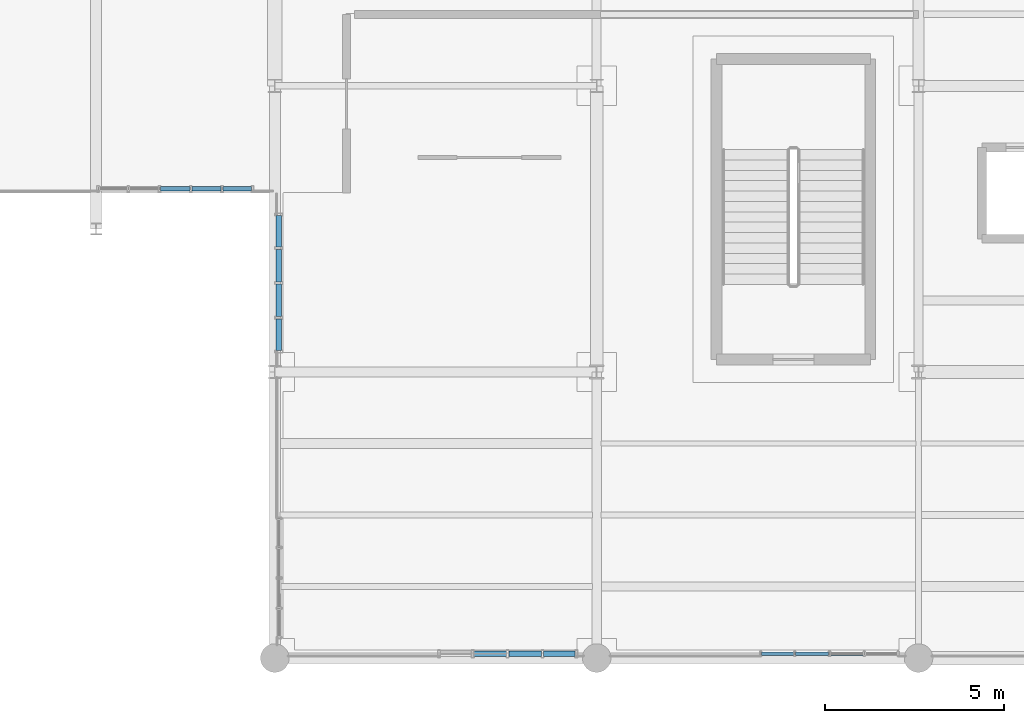
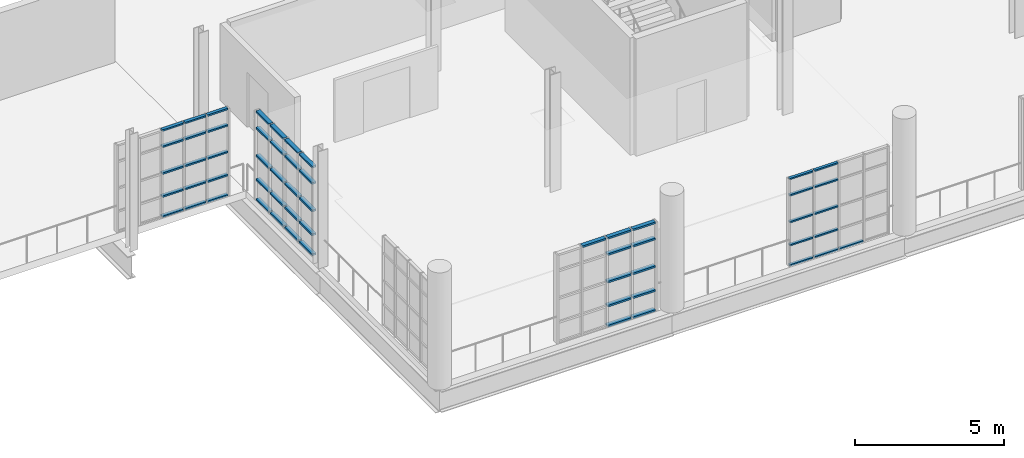
# One storey, part 64 of 122: 57 members, 4 elements without a shape of their own.
"""IFC4 building model written with IfcOpenShell, lengths in metres."""

from ifc_helpers import new_model, si_unit, direction, frame, origin, origin_2d, place, context, subcontext, project, spatial, hollow_rectangle, extrude, material, layer, layer_set, material_profile, profile_set, type_object, element, aggregate, save


model = new_model("IFC4")

# Units and contexts
model_context = context("Model", 3, precision=1e-05, world=origin(), true_north=direction((0.0, 1.0)))
body_context = subcontext(model_context, "Body", "Model", "MODEL_VIEW")
ifc_project = project(units=[si_unit("LENGTHUNIT", "METRE"), si_unit("AREAUNIT", "SQUARE_METRE"), si_unit("VOLUMEUNIT", "CUBIC_METRE"), si_unit("PLANEANGLEUNIT", "RADIAN"), si_unit("MASSUNIT", "GRAM", prefix="KILO"), si_unit("THERMODYNAMICTEMPERATUREUNIT", "KELVIN"), si_unit("POWERUNIT", "WATT")], contexts=[model_context])

# Site, building, storey
site_placement = place(None, origin())
site = spatial("IfcSite", under=ifc_project, at=site_placement, CompositionType="ELEMENT")
building_placement = place(site_placement, origin())
building = spatial("IfcBuilding", under=site, at=building_placement, Name="Zelmaris Science Centre", CompositionType="ELEMENT")
storey_placement = place(building_placement, frame((0.0, 0.0, 10.800048828125)))
storey = spatial("IfcBuildingStorey", under=building, at=storey_placement, Name="L02", CompositionType="ELEMENT", Elevation=10.800048828125)

# Curtain wall, members
ifc_material = material(Name="Anodised architectural aluminium 6063-T6", Category="aluminium")
ifc_layer_1 = layer(ifc_material, 0.219970703125, Name="Anodised architectural aluminium 6063-T6")
ifc_layer_set_1 = layer_set([ifc_layer_1], Name="Anodised architectural aluminium 6063-T6")
curtain_wall_type_1 = type_object("IfcCurtainWallType", Name="Curtain Wall CW-04", PredefinedType="USERDEFINED", material=ifc_layer_set_1)
curtain_wall_1_placement = place(storey_placement, origin())
curtain_wall_1 = element("IfcCurtainWall", 1, at=curtain_wall_1_placement, inside=storey, type_object=curtain_wall_type_1, Name="L02 Unitised curtain wall 240", ObjectType="GLAZED CURTAIN WALL", PredefinedType="USERDEFINED")
ifc_material_profile_1 = material_profile(ifc_material, hollow_rectangle(XDim=0.06005859375, YDim=0.110107421875, WallThickness=0.0029296875, at=origin_2d()), Name="ALU-TRN-60X110")
ifc_profile_set_1 = profile_set([ifc_material_profile_1], Name="Anodised architectural aluminium 6063-T6")
member_type_1 = type_object("IfcMemberType", Name="ALU-TRN-60X110", PredefinedType="USERDEFINED", material=ifc_profile_set_1)
member_1_placement = place(storey_placement, frame((124.458984375, 8.1201171875, 0.010986328125), z_axis=(-1.0, 0.0, 0.0), x_axis=(0.0, 0.0, 1.0)))
member_1 = element("IfcMember", 2, at=member_1_placement, type_object=member_type_1, Name="CW-04 transom 2.1", ObjectType="TRANSOM", PredefinedType="USERDEFINED", context=body_context, shape_type="SweptSolid", body=[
    extrude(hollow_rectangle(XDim=0.06005859375, YDim=0.110107421875, WallThickness=0.0029296875, at=origin_2d()), origin(), (0.0, 0.0, 1.0), 0.923095703125),
])
member_2_placement = place(storey_placement, frame((123.48388671875, 8.1201171875, 0.010986328125), z_axis=(-1.0, 0.0, 0.0), x_axis=(0.0, 0.0, 1.0)))
member_2 = element("IfcMember", 3, at=member_2_placement, type_object=member_type_1, Name="CW-04 transom 3.1", ObjectType="TRANSOM", PredefinedType="USERDEFINED", context=body_context, shape_type="SweptSolid", body=[
    extrude(hollow_rectangle(XDim=0.06005859375, YDim=0.110107421875, WallThickness=0.0029296875, at=origin_2d()), origin(), (0.0, 0.0, 1.0), 0.9228515625),
])
member_3_placement = place(storey_placement, frame((123.48388671875, 8.1201171875, 0.8349609375), z_axis=(-1.0, 0.0, 0.0), x_axis=(0.0, 0.0, 1.0)))
member_3 = element("IfcMember", 4, at=member_3_placement, type_object=member_type_1, Name="CW-04 transom 3.2", ObjectType="TRANSOM", PredefinedType="USERDEFINED", context=body_context, shape_type="SweptSolid", body=[
    extrude(hollow_rectangle(XDim=0.06005859375, YDim=0.110107421875, WallThickness=0.0029296875, at=origin_2d()), origin(), (0.0, 0.0, 1.0), 0.9228515625),
])
member_4_placement = place(storey_placement, frame((123.48388671875, 8.1201171875, 1.781494140625), z_axis=(-1.0, 0.0, 0.0), x_axis=(0.0, 0.0, 1.0)))
member_4 = element("IfcMember", 5, at=member_4_placement, type_object=member_type_1, Name="CW-04 transom 3.3", ObjectType="TRANSOM", PredefinedType="USERDEFINED", context=body_context, shape_type="SweptSolid", body=[
    extrude(hollow_rectangle(XDim=0.06005859375, YDim=0.110107421875, WallThickness=0.0029296875, at=origin_2d()), origin(), (0.0, 0.0, 1.0), 0.9228515625),
])
member_5_placement = place(storey_placement, frame((123.48388671875, 8.1201171875, 2.8779296875), z_axis=(-1.0, 0.0, 0.0), x_axis=(0.0, 0.0, 1.0)))
member_5 = element("IfcMember", 6, at=member_5_placement, type_object=member_type_1, Name="CW-04 transom 3.4", ObjectType="TRANSOM", PredefinedType="USERDEFINED", context=body_context, shape_type="SweptSolid", body=[
    extrude(hollow_rectangle(XDim=0.06005859375, YDim=0.110107421875, WallThickness=0.0029296875, at=origin_2d()), origin(), (0.0, 0.0, 1.0), 0.9228515625),
])
member_6_placement = place(storey_placement, frame((123.48388671875, 8.1201171875, 3.552001953125), z_axis=(-1.0, 0.0, 0.0), x_axis=(0.0, 0.0, 1.0)))
member_6 = element("IfcMember", 7, at=member_6_placement, type_object=member_type_1, Name="CW-04 transom 3.5", ObjectType="TRANSOM", PredefinedType="USERDEFINED", context=body_context, shape_type="SweptSolid", body=[
    extrude(hollow_rectangle(XDim=0.06005859375, YDim=0.110107421875, WallThickness=0.0029296875, at=origin_2d()), origin(), (0.0, 0.0, 1.0), 0.9228515625),
])
member_7_placement = place(storey_placement, frame((122.509033203125, 8.1201171875, 0.010986328125), z_axis=(-1.0, 0.0, 0.0), x_axis=(0.0, 0.0, 1.0)))
member_7 = element("IfcMember", 8, at=member_7_placement, type_object=member_type_1, Name="CW-04 transom 4.1", ObjectType="TRANSOM", PredefinedType="USERDEFINED", context=body_context, shape_type="SweptSolid", body=[
    extrude(hollow_rectangle(XDim=0.06005859375, YDim=0.110107421875, WallThickness=0.0029296875, at=origin_2d()), origin(), (0.0, 0.0, 1.0), 0.89697265625),
])
member_8_placement = place(storey_placement, frame((122.509033203125, 8.1201171875, 0.8349609375), z_axis=(-1.0, 0.0, 0.0), x_axis=(0.0, 0.0, 1.0)))
member_8 = element("IfcMember", 9, at=member_8_placement, type_object=member_type_1, Name="CW-04 transom 4.2", ObjectType="TRANSOM", PredefinedType="USERDEFINED", context=body_context, shape_type="SweptSolid", body=[
    extrude(hollow_rectangle(XDim=0.06005859375, YDim=0.110107421875, WallThickness=0.0029296875, at=origin_2d()), origin(), (0.0, 0.0, 1.0), 0.89697265625),
])
member_9_placement = place(storey_placement, frame((122.509033203125, 8.1201171875, 1.781494140625), z_axis=(-1.0, 0.0, 0.0), x_axis=(0.0, 0.0, 1.0)))
member_9 = element("IfcMember", 10, at=member_9_placement, type_object=member_type_1, Name="CW-04 transom 4.3", ObjectType="TRANSOM", PredefinedType="USERDEFINED", context=body_context, shape_type="SweptSolid", body=[
    extrude(hollow_rectangle(XDim=0.06005859375, YDim=0.110107421875, WallThickness=0.0029296875, at=origin_2d()), origin(), (0.0, 0.0, 1.0), 0.89697265625),
])
member_10_placement = place(storey_placement, frame((122.509033203125, 8.1201171875, 2.8779296875), z_axis=(-1.0, 0.0, 0.0), x_axis=(0.0, 0.0, 1.0)))
member_10 = element("IfcMember", 11, at=member_10_placement, type_object=member_type_1, Name="CW-04 transom 4.4", ObjectType="TRANSOM", PredefinedType="USERDEFINED", context=body_context, shape_type="SweptSolid", body=[
    extrude(hollow_rectangle(XDim=0.06005859375, YDim=0.110107421875, WallThickness=0.0029296875, at=origin_2d()), origin(), (0.0, 0.0, 1.0), 0.89697265625),
])
member_11_placement = place(storey_placement, frame((122.509033203125, 8.1201171875, 3.552001953125), z_axis=(-1.0, 0.0, 0.0), x_axis=(0.0, 0.0, 1.0)))
member_11 = element("IfcMember", 12, at=member_11_placement, type_object=member_type_1, Name="CW-04 transom 4.5", ObjectType="TRANSOM", PredefinedType="USERDEFINED", context=body_context, shape_type="SweptSolid", body=[
    extrude(hollow_rectangle(XDim=0.06005859375, YDim=0.110107421875, WallThickness=0.0029296875, at=origin_2d()), origin(), (0.0, 0.0, 1.0), 0.89697265625),
])
aggregate(curtain_wall_1, [member_1, member_2, member_3, member_4, member_5, member_6, member_7, member_8, member_9, member_10, member_11])

ifc_layer_2 = layer(ifc_material, 0.2099609375, Name="Anodised architectural aluminium 6063-T6")
ifc_layer_set_2 = layer_set([ifc_layer_2], Name="Anodised architectural aluminium 6063-T6")
curtain_wall_type_2 = type_object("IfcCurtainWallType", Name="Curtain Wall CW-03", PredefinedType="USERDEFINED", material=ifc_layer_set_2)
curtain_wall_2_placement = place(storey_placement, origin())
curtain_wall_2 = element("IfcCurtainWall", 13, at=curtain_wall_2_placement, inside=storey, type_object=curtain_wall_type_2, Name="L02 Unitised curtain wall 247", ObjectType="GLAZED CURTAIN WALL", PredefinedType="USERDEFINED")
ifc_material_profile_2 = material_profile(ifc_material, hollow_rectangle(XDim=0.06494140625, YDim=0.1298828125, WallThickness=0.00341796875, at=origin_2d()), Name="ALU-TRN-65X130")
ifc_profile_set_2 = profile_set([ifc_material_profile_2], Name="Anodised architectural aluminium 6063-T6")
member_type_2 = type_object("IfcMemberType", Name="ALU-TRN-65X130", PredefinedType="USERDEFINED", material=ifc_profile_set_2)
member_12_placement = place(storey_placement, frame((107.343017578125, 21.1201171875, 0.013427734375), z_axis=(-1.0, 0.0, 0.0), x_axis=(0.0, 0.0, 1.0)))
member_12 = element("IfcMember", 14, at=member_12_placement, type_object=member_type_2, Name="CW-03 transom 1.1", ObjectType="TRANSOM", PredefinedType="USERDEFINED", context=body_context, shape_type="SweptSolid", body=[
    extrude(hollow_rectangle(XDim=0.06494140625, YDim=0.1298828125, WallThickness=0.00341796875, at=origin_2d()), origin(), (0.0, 0.0, 1.0), 0.7890625),
])
member_13_placement = place(storey_placement, frame((107.343017578125, 21.1201171875, 0.8349609375), z_axis=(-1.0, 0.0, 0.0), x_axis=(0.0, 0.0, 1.0)))
member_13 = element("IfcMember", 15, at=member_13_placement, type_object=member_type_2, Name="CW-03 transom 1.2", ObjectType="TRANSOM", PredefinedType="USERDEFINED", context=body_context, shape_type="SweptSolid", body=[
    extrude(hollow_rectangle(XDim=0.06494140625, YDim=0.1298828125, WallThickness=0.00341796875, at=origin_2d()), origin(), (0.0, 0.0, 1.0), 0.7890625),
])
member_14_placement = place(storey_placement, frame((107.343017578125, 21.1201171875, 1.779052734375), z_axis=(-1.0, 0.0, 0.0), x_axis=(0.0, 0.0, 1.0)))
member_14 = element("IfcMember", 16, at=member_14_placement, type_object=member_type_2, Name="CW-03 transom 1.3", ObjectType="TRANSOM", PredefinedType="USERDEFINED", context=body_context, shape_type="SweptSolid", body=[
    extrude(hollow_rectangle(XDim=0.06494140625, YDim=0.1298828125, WallThickness=0.00341796875, at=origin_2d()), origin(), (0.0, 0.0, 1.0), 0.7890625),
])
member_15_placement = place(storey_placement, frame((107.343017578125, 21.1201171875, 2.873046875), z_axis=(-1.0, 0.0, 0.0), x_axis=(0.0, 0.0, 1.0)))
member_15 = element("IfcMember", 17, at=member_15_placement, type_object=member_type_2, Name="CW-03 transom 1.4", ObjectType="TRANSOM", PredefinedType="USERDEFINED", context=body_context, shape_type="SweptSolid", body=[
    extrude(hollow_rectangle(XDim=0.06494140625, YDim=0.1298828125, WallThickness=0.00341796875, at=origin_2d()), origin(), (0.0, 0.0, 1.0), 0.7890625),
])
member_16_placement = place(storey_placement, frame((107.343017578125, 21.1201171875, 3.54443359375), z_axis=(-1.0, 0.0, 0.0), x_axis=(0.0, 0.0, 1.0)))
member_16 = element("IfcMember", 18, at=member_16_placement, type_object=member_type_2, Name="CW-03 transom 1.5", ObjectType="TRANSOM", PredefinedType="USERDEFINED", context=body_context, shape_type="SweptSolid", body=[
    extrude(hollow_rectangle(XDim=0.06494140625, YDim=0.1298828125, WallThickness=0.00341796875, at=origin_2d()), origin(), (0.0, 0.0, 1.0), 0.7890625),
])
member_17_placement = place(storey_placement, frame((106.496826171875, 21.1201171875, 0.013427734375), z_axis=(-1.0, 0.0, 0.0), x_axis=(0.0, 0.0, 1.0)))
member_17 = element("IfcMember", 19, at=member_17_placement, type_object=member_type_2, Name="CW-03 transom 2.1", ObjectType="TRANSOM", PredefinedType="USERDEFINED", context=body_context, shape_type="SweptSolid", body=[
    extrude(hollow_rectangle(XDim=0.06494140625, YDim=0.1298828125, WallThickness=0.00341796875, at=origin_2d()), origin(), (0.0, 0.0, 1.0), 0.817626953125),
])
member_18_placement = place(storey_placement, frame((106.496826171875, 21.1201171875, 0.8349609375), z_axis=(-1.0, 0.0, 0.0), x_axis=(0.0, 0.0, 1.0)))
member_18 = element("IfcMember", 20, at=member_18_placement, type_object=member_type_2, Name="CW-03 transom 2.2", ObjectType="TRANSOM", PredefinedType="USERDEFINED", context=body_context, shape_type="SweptSolid", body=[
    extrude(hollow_rectangle(XDim=0.06494140625, YDim=0.1298828125, WallThickness=0.00341796875, at=origin_2d()), origin(), (0.0, 0.0, 1.0), 0.817626953125),
])
member_19_placement = place(storey_placement, frame((106.496826171875, 21.1201171875, 1.779052734375), z_axis=(-1.0, 0.0, 0.0), x_axis=(0.0, 0.0, 1.0)))
member_19 = element("IfcMember", 21, at=member_19_placement, type_object=member_type_2, Name="CW-03 transom 2.3", ObjectType="TRANSOM", PredefinedType="USERDEFINED", context=body_context, shape_type="SweptSolid", body=[
    extrude(hollow_rectangle(XDim=0.06494140625, YDim=0.1298828125, WallThickness=0.00341796875, at=origin_2d()), origin(), (0.0, 0.0, 1.0), 0.817626953125),
])
member_20_placement = place(storey_placement, frame((106.496826171875, 21.1201171875, 2.873046875), z_axis=(-1.0, 0.0, 0.0), x_axis=(0.0, 0.0, 1.0)))
member_20 = element("IfcMember", 22, at=member_20_placement, type_object=member_type_2, Name="CW-03 transom 2.4", ObjectType="TRANSOM", PredefinedType="USERDEFINED", context=body_context, shape_type="SweptSolid", body=[
    extrude(hollow_rectangle(XDim=0.06494140625, YDim=0.1298828125, WallThickness=0.00341796875, at=origin_2d()), origin(), (0.0, 0.0, 1.0), 0.817626953125),
])
member_21_placement = place(storey_placement, frame((106.496826171875, 21.1201171875, 3.54443359375), z_axis=(-1.0, 0.0, 0.0), x_axis=(0.0, 0.0, 1.0)))
member_21 = element("IfcMember", 23, at=member_21_placement, type_object=member_type_2, Name="CW-03 transom 2.5", ObjectType="TRANSOM", PredefinedType="USERDEFINED", context=body_context, shape_type="SweptSolid", body=[
    extrude(hollow_rectangle(XDim=0.06494140625, YDim=0.1298828125, WallThickness=0.00341796875, at=origin_2d()), origin(), (0.0, 0.0, 1.0), 0.817626953125),
])
member_22_placement = place(storey_placement, frame((105.6220703125, 21.1201171875, 0.013427734375), z_axis=(-1.0, 0.0, 0.0), x_axis=(0.0, 0.0, 1.0)))
member_22 = element("IfcMember", 24, at=member_22_placement, type_object=member_type_2, Name="CW-03 transom 3.1", ObjectType="TRANSOM", PredefinedType="USERDEFINED", context=body_context, shape_type="SweptSolid", body=[
    extrude(hollow_rectangle(XDim=0.06494140625, YDim=0.1298828125, WallThickness=0.00341796875, at=origin_2d()), origin(), (0.0, 0.0, 1.0), 0.817626953125),
])
member_23_placement = place(storey_placement, frame((105.6220703125, 21.1201171875, 0.8349609375), z_axis=(-1.0, 0.0, 0.0), x_axis=(0.0, 0.0, 1.0)))
member_23 = element("IfcMember", 25, at=member_23_placement, type_object=member_type_2, Name="CW-03 transom 3.2", ObjectType="TRANSOM", PredefinedType="USERDEFINED", context=body_context, shape_type="SweptSolid", body=[
    extrude(hollow_rectangle(XDim=0.06494140625, YDim=0.1298828125, WallThickness=0.00341796875, at=origin_2d()), origin(), (0.0, 0.0, 1.0), 0.817626953125),
])
member_24_placement = place(storey_placement, frame((105.6220703125, 21.1201171875, 1.779052734375), z_axis=(-1.0, 0.0, 0.0), x_axis=(0.0, 0.0, 1.0)))
member_24 = element("IfcMember", 26, at=member_24_placement, type_object=member_type_2, Name="CW-03 transom 3.3", ObjectType="TRANSOM", PredefinedType="USERDEFINED", context=body_context, shape_type="SweptSolid", body=[
    extrude(hollow_rectangle(XDim=0.06494140625, YDim=0.1298828125, WallThickness=0.00341796875, at=origin_2d()), origin(), (0.0, 0.0, 1.0), 0.817626953125),
])
member_25_placement = place(storey_placement, frame((105.6220703125, 21.1201171875, 2.873046875), z_axis=(-1.0, 0.0, 0.0), x_axis=(0.0, 0.0, 1.0)))
member_25 = element("IfcMember", 27, at=member_25_placement, type_object=member_type_2, Name="CW-03 transom 3.4", ObjectType="TRANSOM", PredefinedType="USERDEFINED", context=body_context, shape_type="SweptSolid", body=[
    extrude(hollow_rectangle(XDim=0.06494140625, YDim=0.1298828125, WallThickness=0.00341796875, at=origin_2d()), origin(), (0.0, 0.0, 1.0), 0.817626953125),
])
member_26_placement = place(storey_placement, frame((105.6220703125, 21.1201171875, 3.54443359375), z_axis=(-1.0, 0.0, 0.0), x_axis=(0.0, 0.0, 1.0)))
member_26 = element("IfcMember", 28, at=member_26_placement, type_object=member_type_2, Name="CW-03 transom 3.5", ObjectType="TRANSOM", PredefinedType="USERDEFINED", context=body_context, shape_type="SweptSolid", body=[
    extrude(hollow_rectangle(XDim=0.06494140625, YDim=0.1298828125, WallThickness=0.00341796875, at=origin_2d()), origin(), (0.0, 0.0, 1.0), 0.817626953125),
])
aggregate(curtain_wall_2, [member_12, member_13, member_14, member_15, member_16, member_17, member_18, member_19, member_20, member_21, member_22, member_23, member_24, member_25, member_26])

ifc_layer_3 = layer(ifc_material, 0.199951171875, Name="Anodised architectural aluminium 6063-T6")
ifc_layer_set_3 = layer_set([ifc_layer_3], Name="Anodised architectural aluminium 6063-T6")
curtain_wall_type_3 = type_object("IfcCurtainWallType", Name="Curtain Wall CW-02", PredefinedType="USERDEFINED", material=ifc_layer_set_3)
curtain_wall_3_placement = place(storey_placement, origin())
curtain_wall_3 = element("IfcCurtainWall", 29, at=curtain_wall_3_placement, inside=storey, type_object=curtain_wall_type_3, Name="L02 Unitised curtain wall 242", ObjectType="GLAZED CURTAIN WALL", PredefinedType="USERDEFINED")
ifc_material_profile_3 = material_profile(ifc_material, hollow_rectangle(XDim=0.074951171875, YDim=0.159912109375, WallThickness=0.00390625, at=origin_2d()), Name="ALU-TRN-75X160")
ifc_profile_set_3 = profile_set([ifc_material_profile_3], Name="Anodised architectural aluminium 6063-T6")
member_type_3 = type_object("IfcMemberType", Name="ALU-TRN-75X160", PredefinedType="USERDEFINED", material=ifc_profile_set_3)
member_27_placement = place(storey_placement, frame((116.39306640625, 8.1201171875, 0.0185546875), z_axis=(-1.0, 0.0, 0.0), x_axis=(0.0, 0.0, 1.0)))
member_27 = element("IfcMember", 30, at=member_27_placement, type_object=member_type_3, Name="CW-02 transom 1.1", ObjectType="TRANSOM", PredefinedType="USERDEFINED", context=body_context, shape_type="SweptSolid", body=[
    extrude(hollow_rectangle(XDim=0.074951171875, YDim=0.159912109375, WallThickness=0.00390625, at=origin_2d()), origin(), (0.0, 0.0, 1.0), 0.87451171875),
])
member_28_placement = place(storey_placement, frame((116.39306640625, 8.1201171875, 0.8349609375), z_axis=(-1.0, 0.0, 0.0), x_axis=(0.0, 0.0, 1.0)))
member_28 = element("IfcMember", 31, at=member_28_placement, type_object=member_type_3, Name="CW-02 transom 1.2", ObjectType="TRANSOM", PredefinedType="USERDEFINED", context=body_context, shape_type="SweptSolid", body=[
    extrude(hollow_rectangle(XDim=0.074951171875, YDim=0.159912109375, WallThickness=0.00390625, at=origin_2d()), origin(), (0.0, 0.0, 1.0), 0.87451171875),
])
member_29_placement = place(storey_placement, frame((116.39306640625, 8.1201171875, 1.8154296875), z_axis=(-1.0, 0.0, 0.0), x_axis=(0.0, 0.0, 1.0)))
member_29 = element("IfcMember", 32, at=member_29_placement, type_object=member_type_3, Name="CW-02 transom 1.3", ObjectType="TRANSOM", PredefinedType="USERDEFINED", context=body_context, shape_type="SweptSolid", body=[
    extrude(hollow_rectangle(XDim=0.074951171875, YDim=0.159912109375, WallThickness=0.00390625, at=origin_2d()), origin(), (0.0, 0.0, 1.0), 0.87451171875),
])
member_30_placement = place(storey_placement, frame((116.39306640625, 8.1201171875, 2.946044921875), z_axis=(-1.0, 0.0, 0.0), x_axis=(0.0, 0.0, 1.0)))
member_30 = element("IfcMember", 33, at=member_30_placement, type_object=member_type_3, Name="CW-02 transom 1.4", ObjectType="TRANSOM", PredefinedType="USERDEFINED", context=body_context, shape_type="SweptSolid", body=[
    extrude(hollow_rectangle(XDim=0.074951171875, YDim=0.159912109375, WallThickness=0.00390625, at=origin_2d()), origin(), (0.0, 0.0, 1.0), 0.87451171875),
])
member_31_placement = place(storey_placement, frame((116.39306640625, 8.1201171875, 3.612548828125), z_axis=(-1.0, 0.0, 0.0), x_axis=(0.0, 0.0, 1.0)))
member_31 = element("IfcMember", 34, at=member_31_placement, type_object=member_type_3, Name="CW-02 transom 1.5", ObjectType="TRANSOM", PredefinedType="USERDEFINED", context=body_context, shape_type="SweptSolid", body=[
    extrude(hollow_rectangle(XDim=0.074951171875, YDim=0.159912109375, WallThickness=0.00390625, at=origin_2d()), origin(), (0.0, 0.0, 1.0), 0.87451171875),
])
member_32_placement = place(storey_placement, frame((115.451416015625, 8.1201171875, 0.0185546875), z_axis=(-1.0, 0.0, 0.0), x_axis=(0.0, 0.0, 1.0)))
member_32 = element("IfcMember", 35, at=member_32_placement, type_object=member_type_3, Name="CW-02 transom 2.1", ObjectType="TRANSOM", PredefinedType="USERDEFINED", context=body_context, shape_type="SweptSolid", body=[
    extrude(hollow_rectangle(XDim=0.074951171875, YDim=0.159912109375, WallThickness=0.00390625, at=origin_2d()), origin(), (0.0, 0.0, 1.0), 0.907958984375),
])
member_33_placement = place(storey_placement, frame((115.451416015625, 8.1201171875, 0.8349609375), z_axis=(-1.0, 0.0, 0.0), x_axis=(0.0, 0.0, 1.0)))
member_33 = element("IfcMember", 36, at=member_33_placement, type_object=member_type_3, Name="CW-02 transom 2.2", ObjectType="TRANSOM", PredefinedType="USERDEFINED", context=body_context, shape_type="SweptSolid", body=[
    extrude(hollow_rectangle(XDim=0.074951171875, YDim=0.159912109375, WallThickness=0.00390625, at=origin_2d()), origin(), (0.0, 0.0, 1.0), 0.907958984375),
])
member_34_placement = place(storey_placement, frame((115.451416015625, 8.1201171875, 1.8154296875), z_axis=(-1.0, 0.0, 0.0), x_axis=(0.0, 0.0, 1.0)))
member_34 = element("IfcMember", 37, at=member_34_placement, type_object=member_type_3, Name="CW-02 transom 2.3", ObjectType="TRANSOM", PredefinedType="USERDEFINED", context=body_context, shape_type="SweptSolid", body=[
    extrude(hollow_rectangle(XDim=0.074951171875, YDim=0.159912109375, WallThickness=0.00390625, at=origin_2d()), origin(), (0.0, 0.0, 1.0), 0.907958984375),
])
member_35_placement = place(storey_placement, frame((115.451416015625, 8.1201171875, 2.946044921875), z_axis=(-1.0, 0.0, 0.0), x_axis=(0.0, 0.0, 1.0)))
member_35 = element("IfcMember", 38, at=member_35_placement, type_object=member_type_3, Name="CW-02 transom 2.4", ObjectType="TRANSOM", PredefinedType="USERDEFINED", context=body_context, shape_type="SweptSolid", body=[
    extrude(hollow_rectangle(XDim=0.074951171875, YDim=0.159912109375, WallThickness=0.00390625, at=origin_2d()), origin(), (0.0, 0.0, 1.0), 0.907958984375),
])
member_36_placement = place(storey_placement, frame((115.451416015625, 8.1201171875, 3.612548828125), z_axis=(-1.0, 0.0, 0.0), x_axis=(0.0, 0.0, 1.0)))
member_36 = element("IfcMember", 39, at=member_36_placement, type_object=member_type_3, Name="CW-02 transom 2.5", ObjectType="TRANSOM", PredefinedType="USERDEFINED", context=body_context, shape_type="SweptSolid", body=[
    extrude(hollow_rectangle(XDim=0.074951171875, YDim=0.159912109375, WallThickness=0.00390625, at=origin_2d()), origin(), (0.0, 0.0, 1.0), 0.907958984375),
])
member_37_placement = place(storey_placement, frame((114.4765625, 8.1201171875, 3.612548828125), z_axis=(-1.0, 0.0, 0.0), x_axis=(0.0, 0.0, 1.0)))
member_37 = element("IfcMember", 40, at=member_37_placement, type_object=member_type_3, Name="CW-02 transom 3.5", ObjectType="TRANSOM", PredefinedType="USERDEFINED", context=body_context, shape_type="SweptSolid", body=[
    extrude(hollow_rectangle(XDim=0.074951171875, YDim=0.159912109375, WallThickness=0.00390625, at=origin_2d()), origin(), (0.0, 0.0, 1.0), 0.907958984375),
])
aggregate(curtain_wall_3, [member_27, member_28, member_29, member_30, member_31, member_32, member_33, member_34, member_35, member_36, member_37])

curtain_wall_4_placement = place(storey_placement, origin())
curtain_wall_4 = element("IfcCurtainWall", 41, at=curtain_wall_4_placement, inside=storey, type_object=curtain_wall_type_3, Name="L02 Unitised curtain wall 246", ObjectType="GLAZED CURTAIN WALL", PredefinedType="USERDEFINED")
member_38_placement = place(storey_placement, frame((108.111083984375, 16.607177734375, 0.0185546875), z_axis=(-0.001117317738, 0.9999993758, 0.0), x_axis=(0.0, 0.0, 1.0)))
member_38 = element("IfcMember", 42, at=member_38_placement, type_object=member_type_3, Name="CW-02 transom 1.1", ObjectType="TRANSOM", PredefinedType="USERDEFINED", context=body_context, shape_type="SweptSolid", body=[
    extrude(hollow_rectangle(XDim=0.074951171875, YDim=0.159912109375, WallThickness=0.00390625, at=origin_2d()), origin(), (0.0, 0.0, 1.0), 0.8740234375),
])
member_39_placement = place(storey_placement, frame((108.111083984375, 16.607177734375, 0.8349609375), z_axis=(-0.001117317738, 0.9999993758, 0.0), x_axis=(0.0, 0.0, 1.0)))
member_39 = element("IfcMember", 43, at=member_39_placement, type_object=member_type_3, Name="CW-02 transom 1.2", ObjectType="TRANSOM", PredefinedType="USERDEFINED", context=body_context, shape_type="SweptSolid", body=[
    extrude(hollow_rectangle(XDim=0.074951171875, YDim=0.159912109375, WallThickness=0.00390625, at=origin_2d()), origin(), (0.0, 0.0, 1.0), 0.8740234375),
])
member_40_placement = place(storey_placement, frame((108.111083984375, 16.607177734375, 1.814453125), z_axis=(-0.001117317738, 0.9999993758, 0.0), x_axis=(0.0, 0.0, 1.0)))
member_40 = element("IfcMember", 44, at=member_40_placement, type_object=member_type_3, Name="CW-02 transom 1.3", ObjectType="TRANSOM", PredefinedType="USERDEFINED", context=body_context, shape_type="SweptSolid", body=[
    extrude(hollow_rectangle(XDim=0.074951171875, YDim=0.159912109375, WallThickness=0.00390625, at=origin_2d()), origin(), (0.0, 0.0, 1.0), 0.8740234375),
])
member_41_placement = place(storey_placement, frame((108.111083984375, 16.607177734375, 2.94384765625), z_axis=(-0.001117317738, 0.9999993758, 0.0), x_axis=(0.0, 0.0, 1.0)))
member_41 = element("IfcMember", 45, at=member_41_placement, type_object=member_type_3, Name="CW-02 transom 1.4", ObjectType="TRANSOM", PredefinedType="USERDEFINED", context=body_context, shape_type="SweptSolid", body=[
    extrude(hollow_rectangle(XDim=0.074951171875, YDim=0.159912109375, WallThickness=0.00390625, at=origin_2d()), origin(), (0.0, 0.0, 1.0), 0.8740234375),
])
member_42_placement = place(storey_placement, frame((108.111083984375, 16.607177734375, 3.6103515625), z_axis=(-0.001117317738, 0.9999993758, 0.0), x_axis=(0.0, 0.0, 1.0)))
member_42 = element("IfcMember", 46, at=member_42_placement, type_object=member_type_3, Name="CW-02 transom 1.5", ObjectType="TRANSOM", PredefinedType="USERDEFINED", context=body_context, shape_type="SweptSolid", body=[
    extrude(hollow_rectangle(XDim=0.074951171875, YDim=0.159912109375, WallThickness=0.00390625, at=origin_2d()), origin(), (0.0, 0.0, 1.0), 0.8740234375),
])
member_43_placement = place(storey_placement, frame((108.110107421875, 17.548095703125, 0.0185546875), z_axis=(-0.001076136046, 0.999999420965, 0.0), x_axis=(0.0, 0.0, 1.0)))
member_43 = element("IfcMember", 47, at=member_43_placement, type_object=member_type_3, Name="CW-02 transom 2.1", ObjectType="TRANSOM", PredefinedType="USERDEFINED", context=body_context, shape_type="SweptSolid", body=[
    extrude(hollow_rectangle(XDim=0.074951171875, YDim=0.159912109375, WallThickness=0.00390625, at=origin_2d()), origin(), (0.0, 0.0, 1.0), 0.907470703125),
])
member_44_placement = place(storey_placement, frame((108.110107421875, 17.548095703125, 0.8349609375), z_axis=(-0.001076136046, 0.999999420965, 0.0), x_axis=(0.0, 0.0, 1.0)))
member_44 = element("IfcMember", 48, at=member_44_placement, type_object=member_type_3, Name="CW-02 transom 2.2", ObjectType="TRANSOM", PredefinedType="USERDEFINED", context=body_context, shape_type="SweptSolid", body=[
    extrude(hollow_rectangle(XDim=0.074951171875, YDim=0.159912109375, WallThickness=0.00390625, at=origin_2d()), origin(), (0.0, 0.0, 1.0), 0.907470703125),
])
member_45_placement = place(storey_placement, frame((108.110107421875, 17.548095703125, 1.814453125), z_axis=(-0.001076136046, 0.999999420965, 0.0), x_axis=(0.0, 0.0, 1.0)))
member_45 = element("IfcMember", 49, at=member_45_placement, type_object=member_type_3, Name="CW-02 transom 2.3", ObjectType="TRANSOM", PredefinedType="USERDEFINED", context=body_context, shape_type="SweptSolid", body=[
    extrude(hollow_rectangle(XDim=0.074951171875, YDim=0.159912109375, WallThickness=0.00390625, at=origin_2d()), origin(), (0.0, 0.0, 1.0), 0.907470703125),
])
member_46_placement = place(storey_placement, frame((108.110107421875, 17.548095703125, 2.94384765625), z_axis=(-0.001076136046, 0.999999420965, 0.0), x_axis=(0.0, 0.0, 1.0)))
member_46 = element("IfcMember", 50, at=member_46_placement, type_object=member_type_3, Name="CW-02 transom 2.4", ObjectType="TRANSOM", PredefinedType="USERDEFINED", context=body_context, shape_type="SweptSolid", body=[
    extrude(hollow_rectangle(XDim=0.074951171875, YDim=0.159912109375, WallThickness=0.00390625, at=origin_2d()), origin(), (0.0, 0.0, 1.0), 0.907470703125),
])
member_47_placement = place(storey_placement, frame((108.110107421875, 17.548095703125, 3.6103515625), z_axis=(-0.001076136046, 0.999999420965, 0.0), x_axis=(0.0, 0.0, 1.0)))
member_47 = element("IfcMember", 51, at=member_47_placement, type_object=member_type_3, Name="CW-02 transom 2.5", ObjectType="TRANSOM", PredefinedType="USERDEFINED", context=body_context, shape_type="SweptSolid", body=[
    extrude(hollow_rectangle(XDim=0.074951171875, YDim=0.159912109375, WallThickness=0.00390625, at=origin_2d()), origin(), (0.0, 0.0, 1.0), 0.907470703125),
])
member_48_placement = place(storey_placement, frame((108.109130859375, 18.522705078125, 0.0185546875), z_axis=(-0.001076136046, 0.999999420965, 0.0), x_axis=(0.0, 0.0, 1.0)))
member_48 = element("IfcMember", 52, at=member_48_placement, type_object=member_type_3, Name="CW-02 transom 3.1", ObjectType="TRANSOM", PredefinedType="USERDEFINED", context=body_context, shape_type="SweptSolid", body=[
    extrude(hollow_rectangle(XDim=0.074951171875, YDim=0.159912109375, WallThickness=0.00390625, at=origin_2d()), origin(), (0.0, 0.0, 1.0), 0.907470703125),
])
member_49_placement = place(storey_placement, frame((108.109130859375, 18.522705078125, 0.8349609375), z_axis=(-0.001076136046, 0.999999420965, 0.0), x_axis=(0.0, 0.0, 1.0)))
member_49 = element("IfcMember", 53, at=member_49_placement, type_object=member_type_3, Name="CW-02 transom 3.2", ObjectType="TRANSOM", PredefinedType="USERDEFINED", context=body_context, shape_type="SweptSolid", body=[
    extrude(hollow_rectangle(XDim=0.074951171875, YDim=0.159912109375, WallThickness=0.00390625, at=origin_2d()), origin(), (0.0, 0.0, 1.0), 0.907470703125),
])
member_50_placement = place(storey_placement, frame((108.109130859375, 18.522705078125, 1.814453125), z_axis=(-0.001076136046, 0.999999420965, 0.0), x_axis=(0.0, 0.0, 1.0)))
member_50 = element("IfcMember", 54, at=member_50_placement, type_object=member_type_3, Name="CW-02 transom 3.3", ObjectType="TRANSOM", PredefinedType="USERDEFINED", context=body_context, shape_type="SweptSolid", body=[
    extrude(hollow_rectangle(XDim=0.074951171875, YDim=0.159912109375, WallThickness=0.00390625, at=origin_2d()), origin(), (0.0, 0.0, 1.0), 0.907470703125),
])
member_51_placement = place(storey_placement, frame((108.109130859375, 18.522705078125, 2.94384765625), z_axis=(-0.001076136046, 0.999999420965, 0.0), x_axis=(0.0, 0.0, 1.0)))
member_51 = element("IfcMember", 55, at=member_51_placement, type_object=member_type_3, Name="CW-02 transom 3.4", ObjectType="TRANSOM", PredefinedType="USERDEFINED", context=body_context, shape_type="SweptSolid", body=[
    extrude(hollow_rectangle(XDim=0.074951171875, YDim=0.159912109375, WallThickness=0.00390625, at=origin_2d()), origin(), (0.0, 0.0, 1.0), 0.907470703125),
])
member_52_placement = place(storey_placement, frame((108.109130859375, 18.522705078125, 3.6103515625), z_axis=(-0.001076136046, 0.999999420965, 0.0), x_axis=(0.0, 0.0, 1.0)))
member_52 = element("IfcMember", 56, at=member_52_placement, type_object=member_type_3, Name="CW-02 transom 3.5", ObjectType="TRANSOM", PredefinedType="USERDEFINED", context=body_context, shape_type="SweptSolid", body=[
    extrude(hollow_rectangle(XDim=0.074951171875, YDim=0.159912109375, WallThickness=0.00390625, at=origin_2d()), origin(), (0.0, 0.0, 1.0), 0.907470703125),
])
member_53_placement = place(storey_placement, frame((108.10791015625, 19.4970703125, 0.0185546875), z_axis=(-0.000837988533, 0.999999648888, 0.0), x_axis=(0.0, 0.0, 1.0)))
member_53 = element("IfcMember", 57, at=member_53_placement, type_object=member_type_3, Name="CW-02 transom 4.1", ObjectType="TRANSOM", PredefinedType="USERDEFINED", context=body_context, shape_type="SweptSolid", body=[
    extrude(hollow_rectangle(XDim=0.074951171875, YDim=0.159912109375, WallThickness=0.00390625, at=origin_2d()), origin(), (0.0, 0.0, 1.0), 0.8740234375),
])
member_54_placement = place(storey_placement, frame((108.10791015625, 19.4970703125, 0.8349609375), z_axis=(-0.000837988533, 0.999999648888, 0.0), x_axis=(0.0, 0.0, 1.0)))
member_54 = element("IfcMember", 58, at=member_54_placement, type_object=member_type_3, Name="CW-02 transom 4.2", ObjectType="TRANSOM", PredefinedType="USERDEFINED", context=body_context, shape_type="SweptSolid", body=[
    extrude(hollow_rectangle(XDim=0.074951171875, YDim=0.159912109375, WallThickness=0.00390625, at=origin_2d()), origin(), (0.0, 0.0, 1.0), 0.8740234375),
])
member_55_placement = place(storey_placement, frame((108.10791015625, 19.4970703125, 1.814453125), z_axis=(-0.000837988533, 0.999999648888, 0.0), x_axis=(0.0, 0.0, 1.0)))
member_55 = element("IfcMember", 59, at=member_55_placement, type_object=member_type_3, Name="CW-02 transom 4.3", ObjectType="TRANSOM", PredefinedType="USERDEFINED", context=body_context, shape_type="SweptSolid", body=[
    extrude(hollow_rectangle(XDim=0.074951171875, YDim=0.159912109375, WallThickness=0.00390625, at=origin_2d()), origin(), (0.0, 0.0, 1.0), 0.8740234375),
])
member_56_placement = place(storey_placement, frame((108.10791015625, 19.4970703125, 2.94384765625), z_axis=(-0.000837988533, 0.999999648888, 0.0), x_axis=(0.0, 0.0, 1.0)))
member_56 = element("IfcMember", 60, at=member_56_placement, type_object=member_type_3, Name="CW-02 transom 4.4", ObjectType="TRANSOM", PredefinedType="USERDEFINED", context=body_context, shape_type="SweptSolid", body=[
    extrude(hollow_rectangle(XDim=0.074951171875, YDim=0.159912109375, WallThickness=0.00390625, at=origin_2d()), origin(), (0.0, 0.0, 1.0), 0.8740234375),
])
member_57_placement = place(storey_placement, frame((108.10791015625, 19.4970703125, 3.6103515625), z_axis=(-0.000837988533, 0.999999648888, 0.0), x_axis=(0.0, 0.0, 1.0)))
member_57 = element("IfcMember", 61, at=member_57_placement, type_object=member_type_3, Name="CW-02 transom 4.5", ObjectType="TRANSOM", PredefinedType="USERDEFINED", context=body_context, shape_type="SweptSolid", body=[
    extrude(hollow_rectangle(XDim=0.074951171875, YDim=0.159912109375, WallThickness=0.00390625, at=origin_2d()), origin(), (0.0, 0.0, 1.0), 0.8740234375),
])
aggregate(curtain_wall_4, [member_38, member_39, member_40, member_41, member_42, member_43, member_44, member_45, member_46, member_47, member_48, member_49, member_50, member_51, member_52, member_53, member_54, member_55, member_56, member_57])

save(model, "model.ifc")
